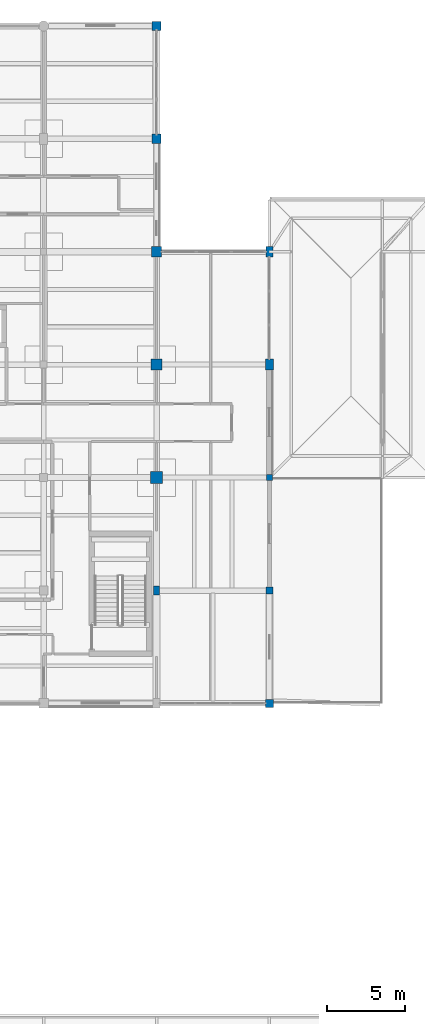
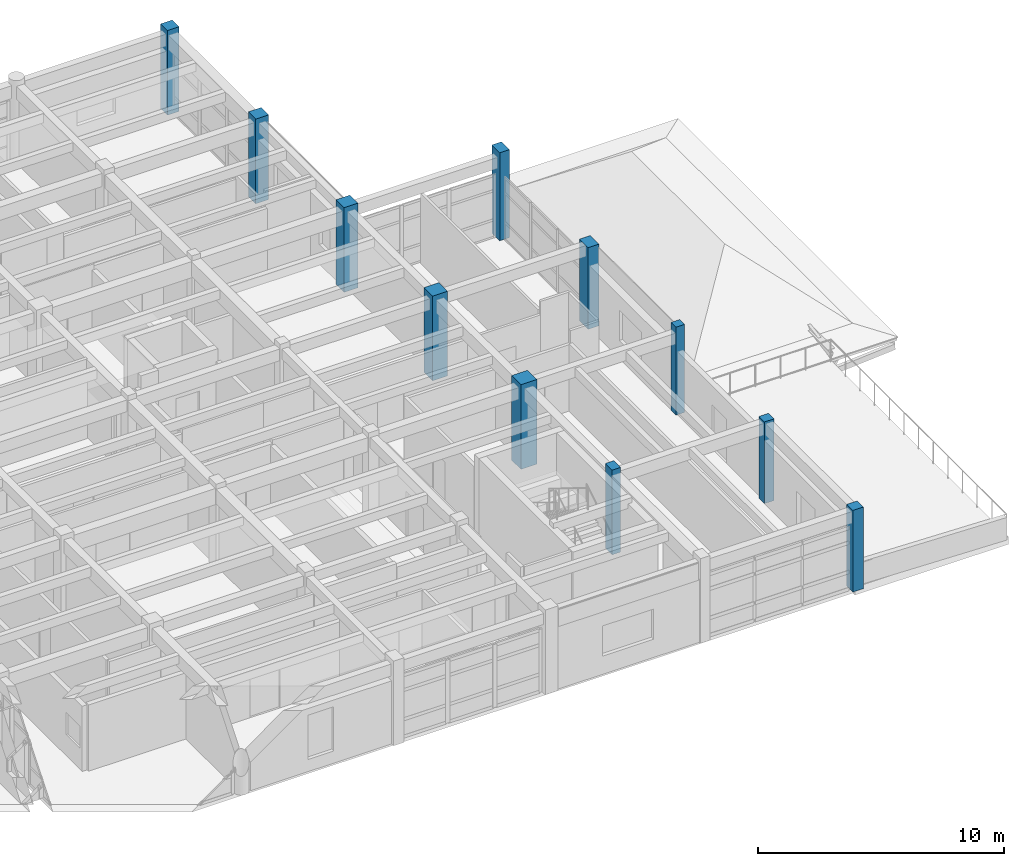
# One storey, part 2 of 100: 11 columns.
"""IFC4 building model written with IfcOpenShell, lengths in metres."""

from ifc_helpers import new_model, si_unit, direction, frame, origin, origin_2d, place, context, subcontext, project, spatial, rectangle, extrude, material, material_profile, profile_set, type_object, element, save


model = new_model("IFC4")

# Units and contexts
model_context = context("Model", 3, precision=1e-05, world=origin(), true_north=direction((0.0, 1.0)))
body_context = subcontext(model_context, "Body", "Model", "MODEL_VIEW")
ifc_project = project(units=[si_unit("LENGTHUNIT", "METRE"), si_unit("AREAUNIT", "SQUARE_METRE"), si_unit("VOLUMEUNIT", "CUBIC_METRE"), si_unit("PLANEANGLEUNIT", "RADIAN"), si_unit("MASSUNIT", "GRAM", prefix="KILO")], contexts=[model_context])

# Site, building, storey
site_placement = place(None, origin())
site = spatial("IfcSite", under=ifc_project, at=site_placement, CompositionType="ELEMENT")
building_placement = place(site_placement, origin())
building = spatial("IfcBuilding", under=site, at=building_placement, Name="Steenspoor Specialist Clinic", CompositionType="ELEMENT")
storey_placement = place(building_placement, frame((0.0, 0.0, 9.0)))
storey = spatial("IfcBuildingStorey", under=building, at=storey_placement, Name="L02", CompositionType="ELEMENT", Elevation=9.0)

# Columns
ifc_material = material(Name="Concrete C40/50", Category="concrete")
ifc_material_profile_1 = material_profile(ifc_material, rectangle(XDim=0.39990234375, YDim=0.39990234375, at=origin_2d()), Name="RC-COL-400X400")
ifc_profile_set_1 = profile_set([ifc_material_profile_1], Name="Concrete C40/50")
column_type_1 = type_object("IfcColumnType", Name="COL-RC-400", PredefinedType="COLUMN", material=ifc_profile_set_1)
column_1_placement = place(storey_placement, frame((154.0, 79.550048828125, 0.0), z_axis=(0.0, 0.0, 1.0), x_axis=(1.0, 0.0, 0.0)))
element("IfcColumn", 1, at=column_1_placement, inside=storey, type_object=column_type_1, Name="Column COL-L02-0817", PredefinedType="COLUMN", context=body_context, shape_type="SweptSolid", body=[
    extrude(rectangle(XDim=0.39990234375, YDim=0.39990234375, at=origin_2d()), origin(), (0.0, 0.0, 1.0), 4.360107421875),
])
ifc_material_profile_2 = material_profile(ifc_material, rectangle(XDim=0.39990234375, YDim=0.550048828125, at=origin_2d()), Name="RC-COL-400X550")
ifc_profile_set_2 = profile_set([ifc_material_profile_2], Name="Concrete C40/50")
column_type_2 = type_object("IfcColumnType", Name="COL-RC-400X550", PredefinedType="COLUMN", material=ifc_profile_set_2)
column_2_placement = place(storey_placement, frame((146.800048828125, 72.35009765625, 0.0), z_axis=(0.0, 0.0, 1.0), x_axis=(1.0, 0.0, 0.0)))
element("IfcColumn", 2, at=column_2_placement, inside=storey, type_object=column_type_2, Name="Column COL-L02-0783", PredefinedType="COLUMN", context=body_context, shape_type="SweptSolid", body=[
    extrude(rectangle(XDim=0.39990234375, YDim=0.550048828125, at=origin_2d()), origin(), (0.0, 0.0, 1.0), 4.199951171875),
])
ifc_material_profile_3 = material_profile(ifc_material, rectangle(XDim=0.449951171875, YDim=0.449951171875, at=origin_2d()), Name="RC-COL-450X450")
ifc_profile_set_3 = profile_set([ifc_material_profile_3], Name="Concrete C40/50")
column_type_3 = type_object("IfcColumnType", Name="COL-RC-450", PredefinedType="COLUMN", material=ifc_profile_set_3)
column_3_placement = place(storey_placement, frame((154.0, 72.35009765625, 0.0), z_axis=(0.0, 0.0, 1.0), x_axis=(1.0, 0.0, 0.0)))
element("IfcColumn", 3, at=column_3_placement, inside=storey, type_object=column_type_3, Name="Column COL-L02-0814", PredefinedType="COLUMN", context=body_context, shape_type="SweptSolid", body=[
    extrude(rectangle(XDim=0.449951171875, YDim=0.449951171875, at=origin_2d()), origin(), (0.0, 0.0, 1.0), 4.050048828125),
])
ifc_material_profile_4 = material_profile(ifc_material, rectangle(XDim=0.449951171875, YDim=0.64990234375, at=origin_2d()), Name="RC-COL-450X650")
ifc_profile_set_4 = profile_set([ifc_material_profile_4], Name="Concrete C40/50")
column_type_4 = type_object("IfcColumnType", Name="COL-RC-450X650", PredefinedType="COLUMN", material=ifc_profile_set_4)
column_4_placement = place(storey_placement, frame((154.0, 93.949951171875, 0.0), z_axis=(0.0, 0.0, 1.0), x_axis=(1.0, 0.0, 0.0)))
element("IfcColumn", 4, at=column_4_placement, inside=storey, type_object=column_type_4, Name="Column COL-L02-0823", PredefinedType="COLUMN", context=body_context, shape_type="SweptSolid", body=[
    extrude(rectangle(XDim=0.449951171875, YDim=0.64990234375, at=origin_2d()), origin(), (0.0, 0.0, 1.0), 4.360107421875),
])
ifc_material_profile_5 = material_profile(ifc_material, rectangle(XDim=0.5, YDim=0.5, at=origin_2d()), Name="RC-COL-500X500")
ifc_profile_set_5 = profile_set([ifc_material_profile_5], Name="Concrete C40/50")
column_type_5 = type_object("IfcColumnType", Name="COL-RC-500", PredefinedType="COLUMN", material=ifc_profile_set_5)
column_5_placement = place(storey_placement, frame((154.0, 65.14990234375, 0.0), z_axis=(0.0, 0.0, 1.0), x_axis=(1.0, 0.0, 0.0)))
element("IfcColumn", 5, at=column_5_placement, inside=storey, type_object=column_type_5, Name="Column COL-L02-0811", PredefinedType="COLUMN", context=body_context, shape_type="SweptSolid", body=[
    extrude(rectangle(XDim=0.5, YDim=0.5, at=origin_2d()), origin(), (0.0, 0.0, 1.0), 4.050048828125),
])
ifc_material_profile_6 = material_profile(ifc_material, rectangle(XDim=0.5, YDim=0.699951171875, at=origin_2d()), Name="RC-COL-500X700")
ifc_profile_set_6 = profile_set([ifc_material_profile_6], Name="Concrete C40/50")
column_type_6 = type_object("IfcColumnType", Name="COL-RC-500X700", PredefinedType="COLUMN", material=ifc_profile_set_6)
column_6_placement = place(storey_placement, frame((154.0, 86.75, 0.0), z_axis=(0.0, 0.0, 1.0), x_axis=(1.0, 0.0, 0.0)))
element("IfcColumn", 6, at=column_6_placement, inside=storey, type_object=column_type_6, Name="Column COL-L02-0820", PredefinedType="COLUMN", context=body_context, shape_type="SweptSolid", body=[
    extrude(rectangle(XDim=0.5, YDim=0.699951171875, at=origin_2d()), origin(), (0.0, 0.0, 1.0), 4.050048828125),
])
ifc_material_profile_7 = material_profile(ifc_material, rectangle(XDim=0.550048828125, YDim=0.550048828125, at=origin_2d()), Name="RC-COL-550X550")
ifc_profile_set_7 = profile_set([ifc_material_profile_7], Name="Concrete C40/50")
column_type_7 = type_object("IfcColumnType", Name="COL-RC-550", PredefinedType="COLUMN", material=ifc_profile_set_7)
column_7_placement = place(storey_placement, frame((146.800048828125, 108.35009765625, 0.0), z_axis=(0.0, 0.0, 1.0), x_axis=(1.0, 0.0, 0.0)))
element("IfcColumn", 7, at=column_7_placement, inside=storey, type_object=column_type_7, Name="Column COL-L02-0807", PredefinedType="COLUMN", context=body_context, shape_type="SweptSolid", body=[
    extrude(rectangle(XDim=0.550048828125, YDim=0.550048828125, at=origin_2d()), origin(), (0.0, 0.0, 1.0), 4.199951171875),
])
ifc_material_profile_8 = material_profile(ifc_material, rectangle(XDim=0.60009765625, YDim=0.60009765625, at=origin_2d()), Name="RC-COL-600X600")
ifc_profile_set_8 = profile_set([ifc_material_profile_8], Name="Concrete C40/50")
column_type_8 = type_object("IfcColumnType", Name="COL-RC-600", PredefinedType="COLUMN", material=ifc_profile_set_8)
column_8_placement = place(storey_placement, frame((146.800048828125, 101.14990234375, 0.0), z_axis=(0.0, 0.0, 1.0), x_axis=(1.0, 0.0, 0.0)))
element("IfcColumn", 8, at=column_8_placement, inside=storey, type_object=column_type_8, Name="Column COL-L02-0803", PredefinedType="COLUMN", context=body_context, shape_type="SweptSolid", body=[
    extrude(rectangle(XDim=0.60009765625, YDim=0.60009765625, at=origin_2d()), origin(), (0.0, 0.0, 1.0), 4.199951171875),
])
ifc_material_profile_9 = material_profile(ifc_material, rectangle(XDim=0.64990234375, YDim=0.64990234375, at=origin_2d()), Name="RC-COL-650X650")
ifc_profile_set_9 = profile_set([ifc_material_profile_9], Name="Concrete C40/50")
column_type_9 = type_object("IfcColumnType", Name="COL-RC-650", PredefinedType="COLUMN", material=ifc_profile_set_9)
column_9_placement = place(storey_placement, frame((146.800048828125, 93.949951171875, 0.0), z_axis=(0.0, 0.0, 1.0), x_axis=(1.0, 0.0, 0.0)))
element("IfcColumn", 9, at=column_9_placement, inside=storey, type_object=column_type_9, Name="Column COL-L02-0798", PredefinedType="COLUMN", context=body_context, shape_type="SweptSolid", body=[
    extrude(rectangle(XDim=0.64990234375, YDim=0.64990234375, at=origin_2d()), origin(), (0.0, 0.0, 1.0), 4.199951171875),
])
ifc_material_profile_10 = material_profile(ifc_material, rectangle(XDim=0.699951171875, YDim=0.699951171875, at=origin_2d()), Name="RC-COL-700X700")
ifc_profile_set_10 = profile_set([ifc_material_profile_10], Name="Concrete C40/50")
column_type_10 = type_object("IfcColumnType", Name="COL-RC-700", PredefinedType="COLUMN", material=ifc_profile_set_10)
column_10_placement = place(storey_placement, frame((146.800048828125, 86.75, 0.0), z_axis=(0.0, 0.0, 1.0), x_axis=(1.0, 0.0, 0.0)))
element("IfcColumn", 10, at=column_10_placement, inside=storey, type_object=column_type_10, Name="Column COL-L02-0793", PredefinedType="COLUMN", context=body_context, shape_type="SweptSolid", body=[
    extrude(rectangle(XDim=0.699951171875, YDim=0.699951171875, at=origin_2d()), origin(), (0.0, 0.0, 1.0), 4.199951171875),
])
ifc_material_profile_11 = material_profile(ifc_material, rectangle(XDim=0.75, YDim=0.75, at=origin_2d()), Name="RC-COL-750X750")
ifc_profile_set_11 = profile_set([ifc_material_profile_11], Name="Concrete C40/50")
column_type_11 = type_object("IfcColumnType", Name="COL-RC-750", PredefinedType="COLUMN", material=ifc_profile_set_11)
column_11_placement = place(storey_placement, frame((146.800048828125, 79.550048828125, 0.0), z_axis=(0.0, 0.0, 1.0), x_axis=(1.0, 0.0, 0.0)))
element("IfcColumn", 11, at=column_11_placement, inside=storey, type_object=column_type_11, Name="Column COL-L02-0788", PredefinedType="COLUMN", context=body_context, shape_type="SweptSolid", body=[
    extrude(rectangle(XDim=0.75, YDim=0.75, at=origin_2d()), origin(), (0.0, 0.0, 1.0), 4.199951171875),
])

save(model, "model.ifc")
